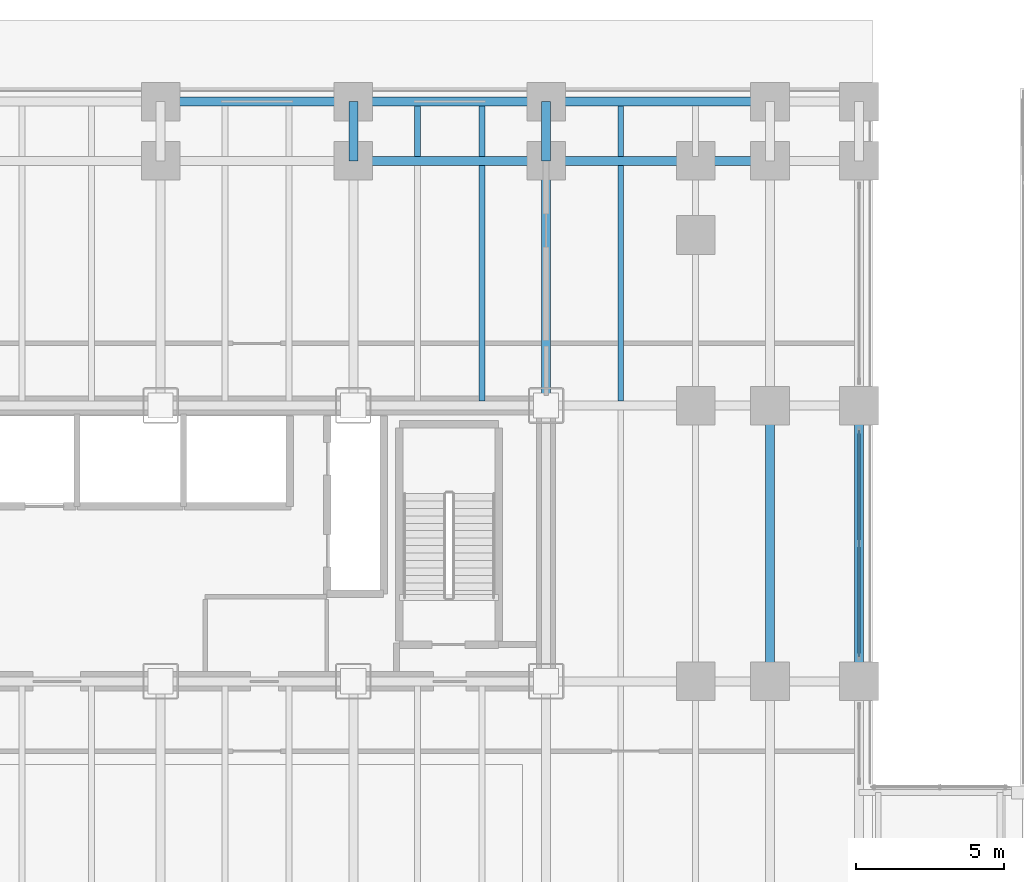
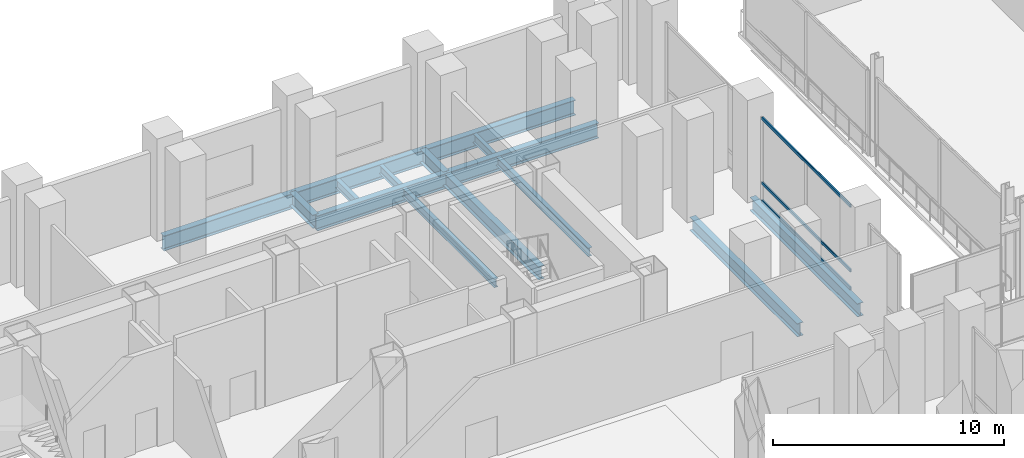
# One storey, part 16 of 32: 15 beams, 3 members, 1 element without a shape of its own.
"""IFC4 building model written with IfcOpenShell, lengths in metres."""

from ifc_helpers import new_model, si_unit, direction, frame, origin, origin_2d, place, context, subcontext, project, spatial, hollow_rectangle, i_section, extrude, material, material_profile, profile_set, type_object, element, aggregate, save


model = new_model("IFC4")

# Units and contexts
model_context = context("Model", 3, precision=1e-05, world=origin(), true_north=direction((0.0, 1.0)))
body_context = subcontext(model_context, "Body", "Model", "MODEL_VIEW")
ifc_project = project(units=[si_unit("LENGTHUNIT", "METRE"), si_unit("AREAUNIT", "SQUARE_METRE"), si_unit("VOLUMEUNIT", "CUBIC_METRE"), si_unit("PLANEANGLEUNIT", "RADIAN"), si_unit("MASSUNIT", "GRAM", prefix="KILO")], contexts=[model_context])

# Site, building, storey
site_placement = place(None, origin())
site = spatial("IfcSite", under=ifc_project, at=site_placement, CompositionType="ELEMENT")
building_placement = place(site_placement, origin())
building = spatial("IfcBuilding", under=site, at=building_placement, Name="Noeulbin Bourse Tower", CompositionType="ELEMENT")
storey_placement = place(building_placement, frame((0.0, 0.0, 5.800048828125)))
storey = spatial("IfcBuildingStorey", under=building, at=storey_placement, Name="L02", CompositionType="ELEMENT", Elevation=5.800048828125)

# Beams
ifc_material_1 = material(Name="Steel S355", Category="steel")
ifc_material_profile_1 = material_profile(ifc_material_1, i_section(OverallWidth=0.300048828125, OverallDepth=0.699951171875, WebThickness=0.012939453125, FlangeThickness=0.02392578125, FilletRadius=0.02392578125, at=origin_2d()), Name="H-700x300x13x24", Category="LoadBearing")
ifc_profile_set_1 = profile_set([ifc_material_profile_1], Name="Steel S355")
beam_type_1 = type_object("IfcBeamType", Name="BM-GRD-700", PredefinedType="USERDEFINED", material=ifc_profile_set_1)
beam_1_placement = place(storey_placement, frame((37.5, 46.550048828125, -0.60009765625), z_axis=(0.0, 1.0, 0.0), x_axis=(-1.0, 0.0, 0.0)))
element("IfcBeam", 1, at=beam_1_placement, inside=storey, type_object=beam_type_1, Name="Podium Primary Girder NS L02-089", ObjectType="GIRDER", PredefinedType="USERDEFINED", context=body_context, shape_type="SweptSolid", body=[
    extrude(i_section(OverallWidth=0.300048828125, OverallDepth=0.699951171875, WebThickness=0.012939453125, FlangeThickness=0.02392578125, FilletRadius=0.02392578125, at=origin_2d()), origin(), (0.0, 0.0, 1.0), 2.0),
])
beam_2_placement = place(storey_placement, frame((44.0, 38.300048828125, -0.60009765625), z_axis=(0.0, 1.0, 0.0), x_axis=(-1.0, 0.0, 0.0)))
element("IfcBeam", 2, at=beam_2_placement, inside=storey, type_object=beam_type_1, Name="Podium Primary Girder NS L02-094", ObjectType="GIRDER", PredefinedType="USERDEFINED", context=body_context, shape_type="SweptSolid", body=[
    extrude(i_section(OverallWidth=0.300048828125, OverallDepth=0.699951171875, WebThickness=0.012939453125, FlangeThickness=0.02392578125, FilletRadius=0.02392578125, at=origin_2d()), origin(), (0.0, 0.0, 1.0), 8.25),
])
beam_3_placement = place(storey_placement, frame((44.0, 46.550048828125, -0.60009765625), z_axis=(0.0, 1.0, 0.0), x_axis=(-1.0, 0.0, 0.0)))
element("IfcBeam", 3, at=beam_3_placement, inside=storey, type_object=beam_type_1, Name="Podium Primary Girder NS L02-095", ObjectType="GIRDER", PredefinedType="USERDEFINED", context=body_context, shape_type="SweptSolid", body=[
    extrude(i_section(OverallWidth=0.300048828125, OverallDepth=0.699951171875, WebThickness=0.012939453125, FlangeThickness=0.02392578125, FilletRadius=0.02392578125, at=origin_2d()), origin(), (0.0, 0.0, 1.0), 2.0),
])
for number, where, z_axis, x_axis, name in (
    (4, (51.550048828125, 29.0, -0.60009765625), (0.0, 1.0, 0.0), (-1.0, 0.0, 0.0), "Podium Primary Girder NS L02-099"),
    (5, (54.550048828125, 29.0, -0.60009765625), (0.0, 1.0, 0.0), (-1.0, 0.0, 0.0), "Podium Primary Girder NS L02-105"),
):
    element("IfcBeam", number, at=place(storey_placement, frame(where, z_axis=z_axis, x_axis=x_axis)), inside=storey, type_object=beam_type_1, Name=name, ObjectType="GIRDER", PredefinedType="USERDEFINED", context=body_context, shape_type="SweptSolid", body=[
        extrude(i_section(OverallWidth=0.300048828125, OverallDepth=0.699951171875, WebThickness=0.012939453125, FlangeThickness=0.02392578125, FilletRadius=0.02392578125, at=origin_2d()), origin(), (0.0, 0.0, 1.0), 9.300048828125),
    ])
ifc_material_profile_2 = material_profile(ifc_material_1, i_section(OverallWidth=0.300048828125, OverallDepth=0.800048828125, WebThickness=0.013916015625, FlangeThickness=0.02587890625, FilletRadius=0.02587890625, at=origin_2d()), Name="H-800x300x14x26", Category="LoadBearing")
ifc_profile_set_2 = profile_set([ifc_material_profile_2], Name="Steel S355")
beam_type_2 = type_object("IfcBeamType", Name="BM-GRD-800", PredefinedType="USERDEFINED", material=ifc_profile_set_2)
beam_4_placement = place(storey_placement, frame((37.5, 46.550048828125, -0.650146484375), z_axis=(1.0, 0.0, 0.0), x_axis=(0.0, 1.0, 0.0)))
element("IfcBeam", 6, at=beam_4_placement, inside=storey, type_object=beam_type_2, Name="Podium Primary Girder EW L02-046", ObjectType="GIRDER", PredefinedType="USERDEFINED", context=body_context, shape_type="SweptSolid", body=[
    extrude(i_section(OverallWidth=0.300048828125, OverallDepth=0.800048828125, WebThickness=0.013916015625, FlangeThickness=0.02587890625, FilletRadius=0.02587890625, at=origin_2d()), origin(), (0.0, 0.0, 1.0), 6.5),
])
beam_5_placement = place(storey_placement, frame((44.0, 46.550048828125, -0.650146484375), z_axis=(1.0, 0.0, 0.0), x_axis=(0.0, 1.0, 0.0)))
element("IfcBeam", 7, at=beam_5_placement, inside=storey, type_object=beam_type_2, Name="Podium Primary Girder EW L02-047", ObjectType="GIRDER", PredefinedType="USERDEFINED", context=body_context, shape_type="SweptSolid", body=[
    extrude(i_section(OverallWidth=0.300048828125, OverallDepth=0.800048828125, WebThickness=0.013916015625, FlangeThickness=0.02587890625, FilletRadius=0.02587890625, at=origin_2d()), origin(), (0.0, 0.0, 1.0), 7.550048828125),
])
for number, where, z_axis, x_axis, name in (
    (8, (31.0, 48.550048828125, -0.650146484375), (1.0, 0.0, 0.0), (0.0, 1.0, 0.0), "Podium Primary Girder EW L02-053"),
    (9, (37.5, 48.550048828125, -0.650146484375), (1.0, 0.0, 0.0), (0.0, 1.0, 0.0), "Podium Primary Girder EW L02-054"),
):
    element("IfcBeam", number, at=place(storey_placement, frame(where, z_axis=z_axis, x_axis=x_axis)), inside=storey, type_object=beam_type_2, Name=name, ObjectType="GIRDER", PredefinedType="USERDEFINED", context=body_context, shape_type="SweptSolid", body=[
        extrude(i_section(OverallWidth=0.300048828125, OverallDepth=0.800048828125, WebThickness=0.013916015625, FlangeThickness=0.02587890625, FilletRadius=0.02587890625, at=origin_2d()), origin(), (0.0, 0.0, 1.0), 6.5),
    ])
beam_6_placement = place(storey_placement, frame((44.0, 48.550048828125, -0.650146484375), z_axis=(1.0, 0.0, 0.0), x_axis=(0.0, 1.0, 0.0)))
element("IfcBeam", 10, at=beam_6_placement, inside=storey, type_object=beam_type_2, Name="Podium Primary Girder EW L02-055", ObjectType="GIRDER", PredefinedType="USERDEFINED", context=body_context, shape_type="SweptSolid", body=[
    extrude(i_section(OverallWidth=0.300048828125, OverallDepth=0.800048828125, WebThickness=0.013916015625, FlangeThickness=0.02587890625, FilletRadius=0.02587890625, at=origin_2d()), origin(), (0.0, 0.0, 1.0), 7.550048828125),
])
ifc_material_profile_3 = material_profile(ifc_material_1, i_section(OverallWidth=0.199951171875, OverallDepth=0.449951171875, WebThickness=0.009033203125, FlangeThickness=0.013916015625, FilletRadius=0.01806640625, at=origin_2d()), Name="H-450x200x9x14", Category="LoadBearing")
ifc_profile_set_3 = profile_set([ifc_material_profile_3], Name="Steel S355")
beam_type_3 = type_object("IfcBeamType", Name="BM-SEC-450", PredefinedType="BEAM", material=ifc_profile_set_3)
beam_7_placement = place(storey_placement, frame((39.666748046875, 46.699951171875, -0.47509765625), z_axis=(0.0, 1.0, 0.0), x_axis=(-1.0, 0.0, 0.0)))
element("IfcBeam", 11, at=beam_7_placement, inside=storey, type_object=beam_type_3, Name="Podium Secondary Beam L02-063", PredefinedType="BEAM", context=body_context, shape_type="SweptSolid", body=[
    extrude(i_section(OverallWidth=0.199951171875, OverallDepth=0.449951171875, WebThickness=0.009033203125, FlangeThickness=0.013916015625, FilletRadius=0.01806640625, at=origin_2d()), origin(), (0.0, 0.0, 1.0), 1.699951171875),
])
beam_8_placement = place(storey_placement, frame((41.833251953125, 38.449951171875, -0.47509765625), z_axis=(0.0, 1.0, 0.0), x_axis=(-1.0, 0.0, 0.0)))
element("IfcBeam", 12, at=beam_8_placement, inside=storey, type_object=beam_type_3, Name="Podium Secondary Beam L02-067", PredefinedType="BEAM", context=body_context, shape_type="SweptSolid", body=[
    extrude(i_section(OverallWidth=0.199951171875, OverallDepth=0.449951171875, WebThickness=0.009033203125, FlangeThickness=0.013916015625, FilletRadius=0.01806640625, at=origin_2d()), origin(), (0.0, 0.0, 1.0), 7.949951171875),
])
beam_9_placement = place(storey_placement, frame((41.833251953125, 46.699951171875, -0.47509765625), z_axis=(0.0, 1.0, 0.0), x_axis=(-1.0, 0.0, 0.0)))
element("IfcBeam", 13, at=beam_9_placement, inside=storey, type_object=beam_type_3, Name="Podium Secondary Beam L02-068", PredefinedType="BEAM", context=body_context, shape_type="SweptSolid", body=[
    extrude(i_section(OverallWidth=0.199951171875, OverallDepth=0.449951171875, WebThickness=0.009033203125, FlangeThickness=0.013916015625, FilletRadius=0.01806640625, at=origin_2d()), origin(), (0.0, 0.0, 1.0), 1.699951171875),
])
beam_10_placement = place(storey_placement, frame((46.5166015625, 38.449951171875, -0.47509765625), z_axis=(0.0, 1.0, 0.0), x_axis=(-1.0, 0.0, 0.0)))
element("IfcBeam", 14, at=beam_10_placement, inside=storey, type_object=beam_type_3, Name="Podium Secondary Beam L02-073", PredefinedType="BEAM", context=body_context, shape_type="SweptSolid", body=[
    extrude(i_section(OverallWidth=0.199951171875, OverallDepth=0.449951171875, WebThickness=0.009033203125, FlangeThickness=0.013916015625, FilletRadius=0.01806640625, at=origin_2d()), origin(), (0.0, 0.0, 1.0), 7.949951171875),
])
beam_11_placement = place(storey_placement, frame((46.5166015625, 46.699951171875, -0.47509765625), z_axis=(0.0, 1.0, 0.0), x_axis=(-1.0, 0.0, 0.0)))
element("IfcBeam", 15, at=beam_11_placement, inside=storey, type_object=beam_type_3, Name="Podium Secondary Beam L02-074", PredefinedType="BEAM", context=body_context, shape_type="SweptSolid", body=[
    extrude(i_section(OverallWidth=0.199951171875, OverallDepth=0.449951171875, WebThickness=0.009033203125, FlangeThickness=0.013916015625, FilletRadius=0.01806640625, at=origin_2d()), origin(), (0.0, 0.0, 1.0), 1.699951171875),
])

# Curtain wall, members
ifc_material_2 = material(Name="Laminated Clear Low-E Glass", Category="glass")
curtain_wall_type = type_object("IfcCurtainWallType", Name="CW-SYS-1", PredefinedType="NOTDEFINED", material=ifc_material_2)
curtain_wall_placement = place(storey_placement, origin())
curtain_wall = element("IfcCurtainWall", 16, at=curtain_wall_placement, inside=storey, type_object=curtain_wall_type, Name="Unitised Curtain Wall CW-L02-POD-E2-S2", PredefinedType="NOTDEFINED")
ifc_material_3 = material(Name="Anodised Aluminium 6063-T6", Category="aluminium")
ifc_material_profile_4 = material_profile(ifc_material_3, hollow_rectangle(XDim=0.074951171875, YDim=0.159912109375, WallThickness=0.0048828125, InnerFilletRadius=0.00244140625, OuterFilletRadius=0.0048828125, at=origin_2d()), Name="ALU-TRAN-75x160x5", Category="LoadBearing")
ifc_profile_set_4 = profile_set([ifc_material_profile_4], Name="Anodised Aluminium 6063-T6")
member_type = type_object("IfcMemberType", Name="CW-SYS-1-TRN", PredefinedType="USERDEFINED", material=ifc_profile_set_4)
member_1_placement = place(storey_placement, frame((54.550048828125, 29.8349609375, 0.010009765625), z_axis=(0.0, 1.0, 0.0), x_axis=(-1.0, 0.0, 0.0)))
member_1 = element("IfcMember", 17, at=member_1_placement, type_object=member_type, Name="Curtain Wall Transom CW-L02-POD-E2-S2-T00", ObjectType="TRANSOM", PredefinedType="USERDEFINED", context=body_context, shape_type="SweptSolid", body=[
    extrude(hollow_rectangle(XDim=0.074951171875, YDim=0.159912109375, WallThickness=0.0048828125, InnerFilletRadius=0.00244140625, OuterFilletRadius=0.0048828125, at=origin_2d()), origin(), (0.0, 0.0, 1.0), 7.630126953125),
])
member_2_placement = place(storey_placement, frame((54.550048828125, 29.8349609375, 0.949951171875), z_axis=(0.0, 1.0, 0.0), x_axis=(-1.0, 0.0, 0.0)))
member_2 = element("IfcMember", 18, at=member_2_placement, type_object=member_type, Name="Curtain Wall Transom CW-L02-POD-E2-S2-T01", ObjectType="TRANSOM", PredefinedType="USERDEFINED", context=body_context, shape_type="SweptSolid", body=[
    extrude(hollow_rectangle(XDim=0.074951171875, YDim=0.159912109375, WallThickness=0.0048828125, InnerFilletRadius=0.00244140625, OuterFilletRadius=0.0048828125, at=origin_2d()), origin(), (0.0, 0.0, 1.0), 7.630126953125),
])
member_3_placement = place(storey_placement, frame((54.550048828125, 29.8349609375, 4.35986328125), z_axis=(0.0, 1.0, 0.0), x_axis=(-1.0, 0.0, 0.0)))
member_3 = element("IfcMember", 19, at=member_3_placement, type_object=member_type, Name="Curtain Wall Transom CW-L02-POD-E2-S2-T02", ObjectType="TRANSOM", PredefinedType="USERDEFINED", context=body_context, shape_type="SweptSolid", body=[
    extrude(hollow_rectangle(XDim=0.074951171875, YDim=0.159912109375, WallThickness=0.0048828125, InnerFilletRadius=0.00244140625, OuterFilletRadius=0.0048828125, at=origin_2d()), origin(), (0.0, 0.0, 1.0), 7.630126953125),
])
aggregate(curtain_wall, [member_1, member_2, member_3])

save(model, "model.ifc")
